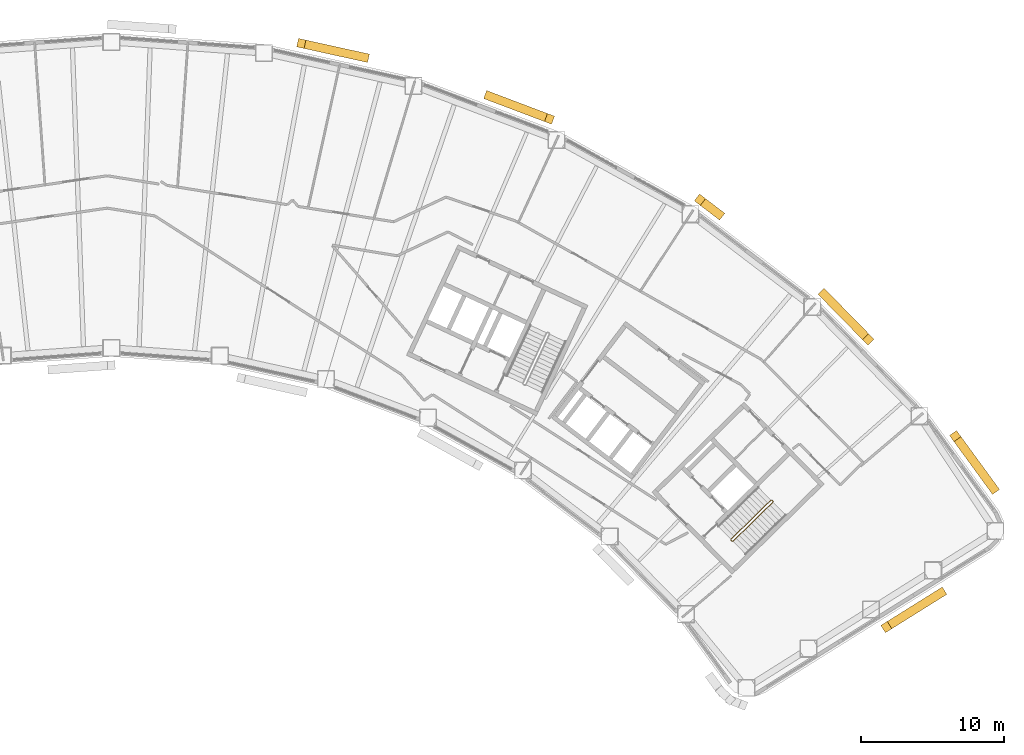
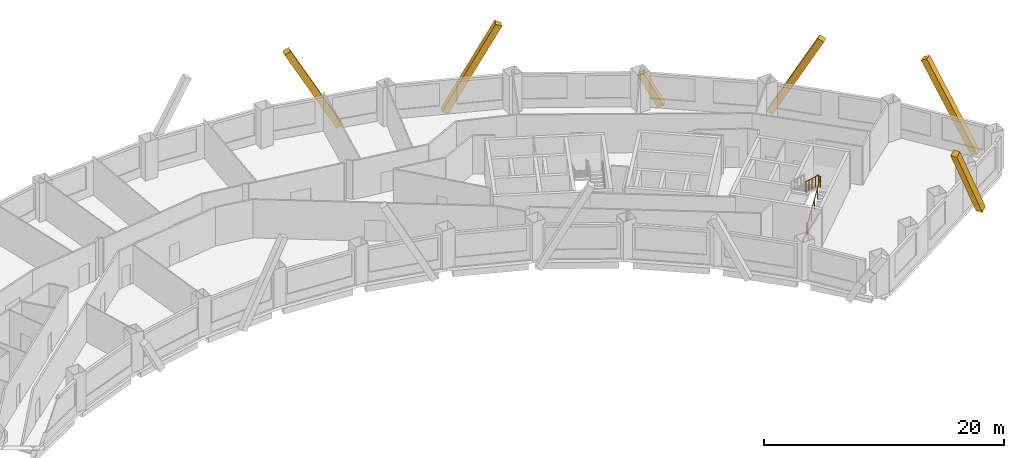
# One storey, part 12 of 12: 6 coverings, 1 railing.
"""IFC4 building model written with IfcOpenShell, lengths in metres."""

from ifc_helpers import new_model, si_unit, direction, frame, origin, origin_2d, place, context, subcontext, project, spatial, rectangle, circle, extrude, material, material_profile, profile_set, type_object, element, save


model = new_model("IFC4")

# Units and contexts
model_context = context("Model", 3, precision=1e-05, world=origin(), true_north=direction((0.0, 1.0)))
body_context = subcontext(model_context, "Body", "Model", "MODEL_VIEW")
ifc_project = project(units=[si_unit("LENGTHUNIT", "METRE"), si_unit("AREAUNIT", "SQUARE_METRE"), si_unit("VOLUMEUNIT", "CUBIC_METRE"), si_unit("PLANEANGLEUNIT", "RADIAN"), si_unit("MASSUNIT", "GRAM", prefix="KILO")], contexts=[model_context])

# Site, building, storey
site_placement = place(None, origin())
site = spatial("IfcSite", under=ifc_project, at=site_placement, CompositionType="ELEMENT")
building_placement = place(site_placement, origin())
building = spatial("IfcBuilding", under=site, at=building_placement, Name="Tuul Gate Civic Tower", CompositionType="ELEMENT")
storey_placement = place(building_placement, frame((0.0, 0.0, 73.800048828125)))
storey = spatial("IfcBuildingStorey", under=building, at=storey_placement, Name="Level 16", CompositionType="ELEMENT", Elevation=73.800048828125)

# Railing
ifc_material_1 = material(Name="Painted steel", Category="steel")
railing_type = type_object("IfcRailingType", Name="Stair guard", PredefinedType="GUARDRAIL", material=ifc_material_1)
railing_placement = place(storey_placement, frame((48.10546875, -16.134765625, 0.0)))
element("IfcRailing", 1, at=railing_placement, inside=storey, type_object=railing_type, Name="Level 16 ST-3 stair guard 1", PredefinedType="GUARDRAIL", context=body_context, shape_type="SweptSolid", body=[
    extrude(circle(Radius=0.02392578125, at=origin_2d()), frame((0.0, 0.0, 1.076171875), z_axis=(-0.698506948293, 0.715603272202, 0.0), x_axis=(-0.715603272202, -0.698506948293, 0.0)), (0.0, 0.0, 1.0), 0.099853515625),
    extrude(circle(Radius=0.02392578125, at=origin_2d()), frame((-0.06982421875, 0.071533203125, 1.076171875), z_axis=(0.645446321009, -0.331687692741, 0.688027849131), x_axis=(0.457068866502, 0.889431307788, 0.0)), (0.0, 0.0, 1.0), 0.2177734375),
    extrude(circle(Radius=0.02392578125, at=origin_2d()), frame((0.07080078125, -0.000732421875, 1.22607421875), z_axis=(0.638731261263, 0.626133563701, 0.447190268558), x_axis=(-0.700029477518, 0.714113947914, 0.0)), (0.0, 0.0, 1.0), 4.3603515625),
    extrude(circle(Radius=0.02392578125, at=origin_2d()), frame((2.85595703125, 2.7294921875, 3.17578125), z_axis=(0.010380063588, 0.999946125689, 0.0), x_axis=(-0.999946125689, 0.010380063588, 0.0)), (0.0, 0.0, 1.0), 0.070556640625),
    extrude(circle(Radius=0.02392578125, at=origin_2d()), frame((2.856689453125, 2.800048828125, 3.17578125), z_axis=(-0.699754442181, 0.714383454909, 0.0), x_axis=(-0.714383454909, -0.699754442181, 0.0)), (0.0, 0.0, 1.0), 0.10009765625),
    extrude(circle(Radius=0.02392578125, at=origin_2d()), frame((2.78662109375, 2.87158203125, 3.17578125), z_axis=(-0.426501027327, 0.004412079593, 0.904476316574), x_axis=(-0.010344274102, -0.999946496565, 0.0)), (0.0, 0.0, 1.0), 0.166015625),
    extrude(circle(Radius=0.02392578125, at=origin_2d()), frame((2.7158203125, 2.872314453125, 3.326171875), z_axis=(-0.638731261263, -0.626133563701, 0.447190268558), x_axis=(0.700029477518, -0.714113947914, 0.0)), (0.0, 0.0, 1.0), 4.3603515625),
    extrude(circle(Radius=0.02099609375, at=origin_2d()), origin(), (0.0, 0.0, 1.0), 1.052001953125),
    extrude(circle(Radius=0.02099609375, at=origin_2d()), frame((-0.06982421875, 0.071533203125, 0.0)), (0.0, 0.0, 1.0), 1.052001953125),
    extrude(circle(Radius=0.02099609375, at=origin_2d()), frame((0.07080078125, -0.000732421875, 0.14990234375)), (0.0, 0.0, 1.0), 1.052001953125),
    extrude(circle(Radius=0.02099609375, at=origin_2d()), frame((0.76708984375, 0.681884765625, 0.637451171875)), (0.0, 0.0, 1.0), 1.052001953125),
    extrude(circle(Radius=0.02099609375, at=origin_2d()), frame((1.46337890625, 1.3642578125, 1.125)), (0.0, 0.0, 1.0), 1.052001953125),
    extrude(circle(Radius=0.02099609375, at=origin_2d()), frame((2.15966796875, 2.046875, 1.6123046875)), (0.0, 0.0, 1.0), 1.052001953125),
    extrude(circle(Radius=0.02099609375, at=origin_2d()), frame((2.85595703125, 2.7294921875, 2.099853515625)), (0.0, 0.0, 1.0), 1.052001953125),
    extrude(circle(Radius=0.02099609375, at=origin_2d()), frame((2.856689453125, 2.800048828125, 2.099853515625)), (0.0, 0.0, 1.0), 1.052001953125),
    extrude(circle(Radius=0.02099609375, at=origin_2d()), frame((2.78662109375, 2.87158203125, 2.099853515625)), (0.0, 0.0, 1.0), 1.052001953125),
    extrude(circle(Radius=0.02099609375, at=origin_2d()), frame((2.7158203125, 2.872314453125, 2.25)), (0.0, 0.0, 1.0), 1.052001953125),
    extrude(circle(Radius=0.02099609375, at=origin_2d()), frame((2.01953125, 2.189697265625, 2.737548828125)), (0.0, 0.0, 1.0), 1.052001953125),
    extrude(circle(Radius=0.02099609375, at=origin_2d()), frame((1.3232421875, 1.50732421875, 3.22509765625)), (0.0, 0.0, 1.0), 1.052001953125),
    extrude(circle(Radius=0.02099609375, at=origin_2d()), frame((0.626953125, 0.82470703125, 3.71240234375)), (0.0, 0.0, 1.0), 1.052001953125),
    extrude(circle(Radius=0.02099609375, at=origin_2d()), frame((-0.0693359375, 0.14208984375, 4.199951171875)), (0.0, 0.0, 1.0), 1.052001953125),
])

# Coverings
ifc_material_2 = material(Name="Terracotta baguette", Category="masonry")
ifc_material_profile = material_profile(ifc_material_2, rectangle(XDim=0.60009765625, YDim=0.60009765625, at=origin_2d()), Name="Terracotta baguette screen frame")
ifc_profile_set = profile_set([ifc_material_profile], Name="Terracotta baguette")
covering_type = type_object("IfcCoveringType", Name="Terracotta baguette screen frame", PredefinedType="CLADDING", material=ifc_profile_set)
covering_1_placement = place(storey_placement, frame((62.709228515625, -19.71875, -0.35009765625), z_axis=(-0.402283964458, -0.251379504598, 0.880327187248), x_axis=(0.529926214669, -0.848043753002, 0.0)))
element("IfcCovering", 2, at=covering_1_placement, inside=storey, type_object=covering_type, Name="Baguette 3", PredefinedType="CLADDING", context=body_context, shape_type="SweptSolid", body=[
    extrude(rectangle(XDim=0.60009765625, YDim=0.60009765625, at=origin_2d()), origin(), (0.0, 0.0, 1.0), 9.5419921875),
])
covering_2_placement = place(storey_placement, frame((66.368408203125, -12.477783203125, -0.35009765625), z_axis=(-0.2813642373, 0.385225062434, 0.878883278508), x_axis=(-0.807537279361, -0.589816532866, 0.0)))
element("IfcCovering", 3, at=covering_2_placement, inside=storey, type_object=covering_type, Name="Baguette 18", PredefinedType="CLADDING", context=body_context, shape_type="SweptSolid", body=[
    extrude(rectangle(XDim=0.60009765625, YDim=0.60009765625, at=origin_2d()), origin(), (0.0, 0.0, 1.0), 9.557861328125),
])
covering_3_placement = place(storey_placement, frame((57.614013671875, -2.056884765625, 8.050048828125), z_axis=(-0.332630737031, 0.339310488261, -0.879900667882), x_axis=(-0.714100828426, -0.700042860718, 0.0)))
element("IfcCovering", 4, at=covering_3_placement, inside=storey, type_object=covering_type, Name="Baguette 27", PredefinedType="CLADDING", context=body_context, shape_type="SweptSolid", body=[
    extrude(rectangle(XDim=0.60009765625, YDim=0.60009765625, at=origin_2d()), origin(), (0.0, 0.0, 1.0), 9.356689453125),
])
covering_4_placement = place(storey_placement, frame((47.211669921875, 6.668701171875, -0.35009765625), z_axis=(-0.378051059001, 0.287849161769, 0.879897867288), x_axis=(-0.605790532559, -0.795624176771, 0.0)))
element("IfcCovering", 5, at=covering_4_placement, inside=storey, type_object=covering_type, Name="Baguette 39", PredefinedType="CLADDING", context=body_context, shape_type="SweptSolid", body=[
    extrude(rectangle(XDim=0.60009765625, YDim=0.60009765625, at=origin_2d()), origin(), (0.0, 0.0, 1.0), 3.5537109375),
])
for number, where, z_axis, x_axis, name in (
    (6, (35.377685546875, 13.33056640625, 8.050048828125), (-0.444416573993, 0.168094725564, -0.879907990643), (-0.353776298619, -0.935330065023, 0.0), "Baguette 51"),
    (7, (22.4912109375, 17.6142578125, -0.35009765625), (-0.464026330658, 0.102267362706, 0.879898261722), (-0.215226248943, -0.976564212823, 0.0), "Baguette 60"),
):
    element("IfcCovering", number, at=place(storey_placement, frame(where, z_axis=z_axis, x_axis=x_axis)), inside=storey, type_object=covering_type, Name=name, PredefinedType="CLADDING", context=body_context, shape_type="SweptSolid", body=[
        extrude(rectangle(XDim=0.60009765625, YDim=0.60009765625, at=origin_2d()), origin(), (0.0, 0.0, 1.0), 9.546630859375),
    ])

save(model, "model.ifc")
